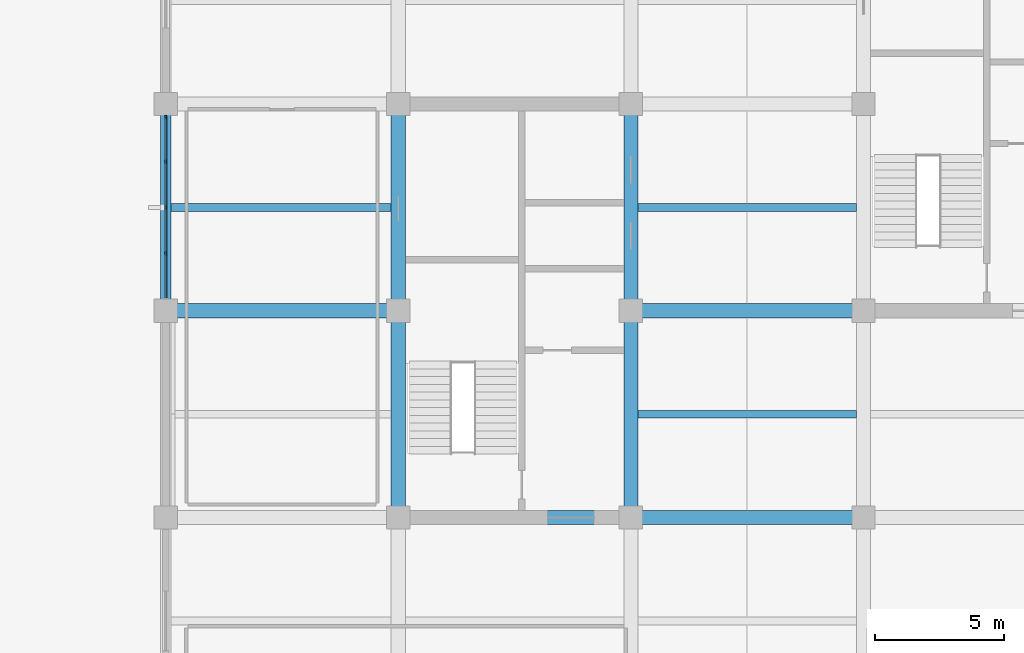
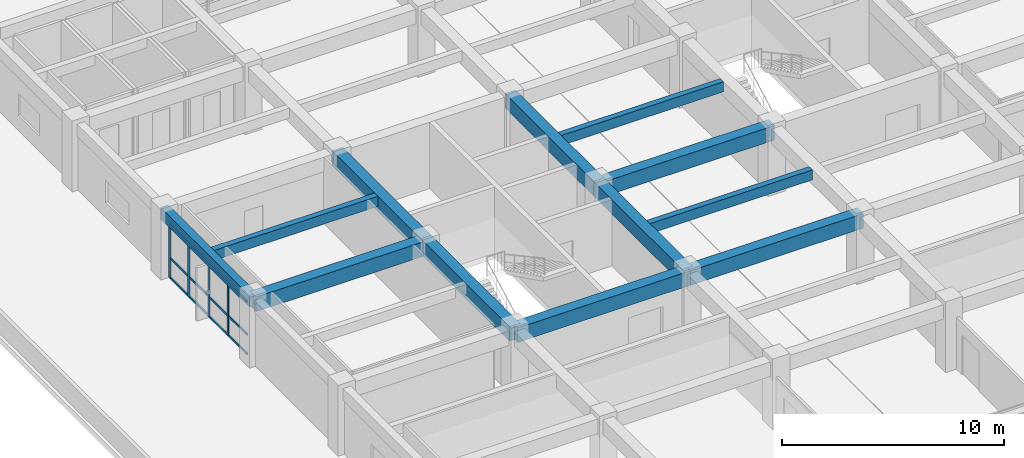
# One storey, part 6 of 34: 12 beams, 7 members, 1 element without a shape of its own.
"""IFC4 building model written with IfcOpenShell, lengths in metres."""

import ifcopenshell
import ifcopenshell.guid

model = None  # the IFC model being written
_history = None  # IfcOwnerHistory: only IFC2X3 demands one
_inside = {}  # id of a spatial element -> (the spatial element, [elements in it])
_under = {}  # id of a project, library or spatial element -> (it, [spatial elements below it])
_declared = {}  # id of a project -> (the project, [libraries it declares])
_typed = {}  # id of a type object -> (the type object, [elements of that type])
_made_of = {}  # id of a material, layer set ... -> (it, [elements and type objects made of it])


def new_model(schema):
    """Start an empty IFC model of exactly this schema.

    Asked for "IFC4X3", IfcOpenShell would pick the latest addendum, in which some entities
    have other attributes; the version numbers below select the first issue.
    IFC2X3 requires an IfcOwnerHistory on every rooted entity: one is made here for all.
    """
    global model, _history
    if schema == "IFC4X3":
        model = ifcopenshell.file(schema_version=(4, 3, 0, 0))
    else:
        model = ifcopenshell.file(schema=schema)
    _inside.clear()
    _under.clear()
    _declared.clear()
    _typed.clear()
    _made_of.clear()
    _history = None
    if model.schema == "IFC2X3":
        org = make("IfcOrganization", Name="unknown")
        user = make(
            "IfcPersonAndOrganization",
            ThePerson=make("IfcPerson", FamilyName="unknown"),
            TheOrganization=org,
        )
        app = make(
            "IfcApplication",
            ApplicationDeveloper=org,
            Version="unknown",
            ApplicationFullName="unknown",
            ApplicationIdentifier="unknown",
        )
        _history = make(
            "IfcOwnerHistory",
            OwningUser=user,
            OwningApplication=app,
            ChangeAction="ADDED",
            CreationDate=0,
        )
    return model


def make(cls, **values):
    """One entity of the class cls with the attributes given. An attribute that is None is left unset."""
    return model.create_entity(
        cls, **{name: value for name, value in values.items() if value is not None}
    )


def rooted(cls, **values):
    """An entity with a GlobalId (a new one), such as an element, a storey or a relation."""
    return make(cls, GlobalId=ifcopenshell.guid.new(), OwnerHistory=_history, **values)


def si_unit(unit_type, name, prefix=None):
    """IfcSIUnit, for example si_unit("LENGTHUNIT", "METRE", prefix="MILLI")."""
    return make("IfcSIUnit", UnitType=unit_type, Prefix=prefix, Name=name)


def assignment(units):
    """IfcUnitAssignment: the units of a project."""
    return None if units is None else make("IfcUnitAssignment", Units=units)


def point(xyz):
    """IfcCartesianPoint."""
    return None if xyz is None else make("IfcCartesianPoint", Coordinates=xyz)


def direction(xyz):
    """IfcDirection."""
    return None if xyz is None else make("IfcDirection", DirectionRatios=xyz)


def frame(location, z_axis=None, x_axis=None):
    """IfcAxis2Placement3D, a coordinate frame: its origin and axes. An axis left out is left unset."""
    return make(
        "IfcAxis2Placement3D",
        Location=point(location),
        Axis=direction(z_axis),
        RefDirection=direction(x_axis),
    )


def frame_2d(location, x_axis=None):
    """IfcAxis2Placement2D, a coordinate frame in the plane: its origin and x axis."""
    return make(
        "IfcAxis2Placement2D", Location=point(location), RefDirection=direction(x_axis)
    )


def origin():
    """The frame at (0, 0, 0) with its axes left unset."""
    return frame((0.0, 0.0, 0.0))


def origin_2d():
    """The frame at (0, 0) in the plane with its x axis left unset."""
    return frame_2d((0.0, 0.0))


def place(relative_to, where):
    """IfcLocalPlacement: puts the frame where relative to a parent placement (None: the world)."""
    return make(
        "IfcLocalPlacement", PlacementRelTo=relative_to, RelativePlacement=where
    )


def context(
    kind, dimensions, precision=None, world=None, true_north=None, identifier=None
):
    """IfcGeometricRepresentationContext, for example the 3D "Model" context."""
    return make(
        "IfcGeometricRepresentationContext",
        ContextIdentifier=identifier,
        ContextType=kind,
        CoordinateSpaceDimension=dimensions,
        Precision=precision,
        WorldCoordinateSystem=world,
        TrueNorth=true_north,
    )


def subcontext(parent, identifier, kind, view, scale=None):
    """IfcGeometricRepresentationSubContext, for example "Body" below "Model"."""
    return make(
        "IfcGeometricRepresentationSubContext",
        ContextIdentifier=identifier,
        ContextType=kind,
        ParentContext=parent,
        TargetScale=scale,
        TargetView=view,
    )


def project(units=None, contexts=None):
    """IfcProject with its units and contexts."""
    return rooted(
        "IfcProject",
        Name="project",
        RepresentationContexts=contexts,
        UnitsInContext=assignment(units),
    )


def spatial(cls, under=None, at=None, **own):
    """A site, building, storey or space (cls), placed at a placement, below another one or the project."""
    s = rooted(cls, ObjectPlacement=at, **own)
    if under is not None:
        _under.setdefault(under.id(), (under, []))[1].append(s)
    return s


def profile(cls, at=None, kind="AREA", **sizes):
    """A parametric profile (cls). Its sizes go by their IFC names, for example OverallWidth=200.0."""
    return make(cls, ProfileType=kind, Position=at, **sizes)


def rectangle(**sizes):
    """IfcRectangleProfileDef."""
    return profile("IfcRectangleProfileDef", **sizes)


def extrude(swept, where, along, depth):
    """IfcExtrudedAreaSolid: the profile swept, set in the frame where, extruded along a direction by depth."""
    return make(
        "IfcExtrudedAreaSolid",
        SweptArea=swept,
        Position=where,
        ExtrudedDirection=direction(along),
        Depth=depth,
    )


def shape(context_of_items, identifier, shape_type, items):
    """IfcShapeRepresentation: the items that make up one representation, for example the "Body"."""
    return make(
        "IfcShapeRepresentation",
        ContextOfItems=context_of_items,
        RepresentationIdentifier=identifier,
        RepresentationType=shape_type,
        Items=items,
    )


def material(Name=None, Category=None):
    """IfcMaterial."""
    return make("IfcMaterial", Name=Name, Category=Category)


def material_profile(
    of_material, cross_section, Name=None, Category=None, Priority=None
):
    """IfcMaterialProfile: a cross section and its material."""
    return make(
        "IfcMaterialProfile",
        Name=Name,
        Material=of_material,
        Profile=cross_section,
        Priority=Priority,
        Category=Category,
    )


def profile_set(profiles, Name=None, composite=None):
    """IfcMaterialProfileSet."""
    return make(
        "IfcMaterialProfileSet",
        Name=Name,
        MaterialProfiles=profiles,
        CompositeProfile=composite,
    )


def made_of(thing, what):
    """Note that an element or type object is made of a material, layer set ...; save() writes the relation."""
    if what is not None:
        _made_of.setdefault(what.id(), (what, []))[1].append(thing)
    return thing


def type_object(cls, material=None, **own):
    """A type object (cls), such as IfcWallType, which elements share."""
    return made_of(rooted(cls, **own), material)


def element(
    cls,
    number,
    at=None,
    inside=None,
    cuts=None,
    type_object=None,
    material=None,
    context=None,
    identifier="Body",
    shape_type=None,
    held_by="IfcProductDefinitionShape",
    body=None,
    shapes=None,
    **own,
):
    """One element of the class cls, such as IfcWall. Its Tag is "e" and its number.

    at: its placement. inside: the storey or other place that contains it. cuts: it is an
    opening in that element (IfcRelVoidsElement). A single representation is given by context,
    identifier, shape_type and body (its items); several are given by shapes. held_by: the class
    of the entity that holds the representations. save() writes the other relations.
    """
    e = rooted(cls, Tag="e%d" % number, ObjectPlacement=at, **own)
    if body is not None:
        shapes = [shape(context, identifier, shape_type, body)]
    if shapes is not None:
        e.Representation = make(held_by, Representations=shapes)
    if inside is not None:
        _inside.setdefault(inside.id(), (inside, []))[1].append(e)
    if cuts is not None:
        rooted(
            "IfcRelVoidsElement", RelatingBuildingElement=cuts, RelatedOpeningElement=e
        )
    if type_object is not None:
        _typed.setdefault(type_object.id(), (type_object, []))[1].append(e)
    return made_of(e, material)


def aggregate(whole, parts):
    """IfcRelAggregates: a whole, such as a stair, and the parts it consists of."""
    return rooted("IfcRelAggregates", RelatingObject=whole, RelatedObjects=parts)


def save(model, path):
    """Write the relations noted so far, then the file.

    IfcRelAggregates (storeys below a building ...), IfcRelContainedInSpatialStructure (elements
    in a storey), IfcRelDefinesByType, IfcRelAssociatesMaterial and IfcRelDeclares: one each for
    every whole, place, type object, material and project.
    """
    for whole, parts in _under.values():
        aggregate(whole, parts)
    for where, things in _inside.values():
        rooted(
            "IfcRelContainedInSpatialStructure",
            RelatedElements=things,
            RelatingStructure=where,
        )
    for kind, things in _typed.values():
        rooted("IfcRelDefinesByType", RelatedObjects=things, RelatingType=kind)
    for what, things in _made_of.values():
        rooted("IfcRelAssociatesMaterial", RelatedObjects=things, RelatingMaterial=what)
    for by, libraries in _declared.values():
        rooted("IfcRelDeclares", RelatingContext=by, RelatedDefinitions=libraries)
    model.write(path)


model = new_model("IFC4")

# Units and contexts
model_context = context("Model", 3, precision=1e-05, world=origin(), true_north=direction((0.0, 1.0)))
body_context = subcontext(model_context, "Body", "Model", "MODEL_VIEW")
ifc_project = project(units=[si_unit("LENGTHUNIT", "METRE"), si_unit("AREAUNIT", "SQUARE_METRE"), si_unit("VOLUMEUNIT", "CUBIC_METRE"), si_unit("PLANEANGLEUNIT", "RADIAN"), si_unit("MASSUNIT", "GRAM", prefix="KILO")], contexts=[model_context])

# Site, building, storey
site_placement = place(None, origin())
site = spatial("IfcSite", under=ifc_project, at=site_placement, CompositionType="ELEMENT")
building_placement = place(site_placement, origin())
building = spatial("IfcBuilding", under=site, at=building_placement, Name="Zaverband Oceanarium and Marine Research Institute", CompositionType="ELEMENT")
storey_placement = place(building_placement, frame((0.0, 0.0, 18.0)))
storey = spatial("IfcBuildingStorey", under=building, at=storey_placement, Name="L04", CompositionType="ELEMENT", Elevation=18.0)

# Beams
ifc_material_1 = material(Name="Concrete C40/50", Category="concrete")
ifc_material_profile_1 = material_profile(ifc_material_1, rectangle(XDim=0.550048828125, YDim=0.800048828125, at=origin_2d()), Name="RC550x800")
ifc_profile_set_1 = profile_set([ifc_material_profile_1], Name="Concrete C40/50")
beam_type_1 = type_object("IfcBeamType", Name="BM-550x800", PredefinedType="BEAM", material=ifc_profile_set_1)
for number, where, z_axis, x_axis, name in (
    (1, (18.0, 80.0, 3.25), (1.0, 0.0, 0.0), (0.0, 1.0, 0.0), "Primary floor girder BM-550x800"),
    (2, (27.0, 80.0, 3.25), (1.0, 0.0, 0.0), (0.0, 1.0, 0.0), "Primary floor girder BM-550x800"),
    (3, (9.0, 88.0, 3.25), (1.0, 0.0, 0.0), (0.0, 1.0, 0.0), "Primary floor girder BM-550x800"),
    (4, (27.0, 88.0, 3.25), (1.0, 0.0, 0.0), (0.0, 1.0, 0.0), "Primary floor girder BM-550x800"),
):
    element("IfcBeam", number, at=place(storey_placement, frame(where, z_axis=z_axis, x_axis=x_axis)), inside=storey, type_object=beam_type_1, Name=name, PredefinedType="BEAM", context=body_context, shape_type="SweptSolid", body=[
        extrude(rectangle(XDim=0.550048828125, YDim=0.800048828125, at=origin_2d()), origin(), (0.0, 0.0, 1.0), 9.0),
    ])
for number, where, z_axis, x_axis, name in (
    (5, (18.0, 80.0, 3.25), (0.0, 1.0, 0.0), (-1.0, 0.0, 0.0), "Primary floor girder BM-550x800"),
    (6, (18.0, 88.0, 3.25), (0.0, 1.0, 0.0), (-1.0, 0.0, 0.0), "Primary floor girder BM-550x800"),
    (7, (27.0, 80.0, 3.25), (0.0, 1.0, 0.0), (-1.0, 0.0, 0.0), "Primary floor girder BM-550x800"),
    (8, (27.0, 88.0, 3.25), (0.0, 1.0, 0.0), (-1.0, 0.0, 0.0), "Primary floor girder BM-550x800"),
):
    element("IfcBeam", number, at=place(storey_placement, frame(where, z_axis=z_axis, x_axis=x_axis)), inside=storey, type_object=beam_type_1, Name=name, PredefinedType="BEAM", context=body_context, shape_type="SweptSolid", body=[
        extrude(rectangle(XDim=0.550048828125, YDim=0.800048828125, at=origin_2d()), origin(), (0.0, 0.0, 1.0), 8.0),
    ])
ifc_material_profile_2 = material_profile(ifc_material_1, rectangle(XDim=0.300048828125, YDim=0.550048828125, at=origin_2d()), Name="RC300x550")
ifc_profile_set_2 = profile_set([ifc_material_profile_2], Name="Concrete C40/50")
beam_type_2 = type_object("IfcBeamType", Name="JST-300x550", PredefinedType="JOIST", material=ifc_profile_set_2)
beam_1_placement = place(storey_placement, frame((9.199951171875, 92.0, 3.375), z_axis=(1.0, 0.0, 0.0), x_axis=(0.0, 1.0, 0.0)))
element("IfcBeam", 9, at=beam_1_placement, inside=storey, type_object=beam_type_2, Name="Secondary floor joist JST-300x550", PredefinedType="JOIST", context=body_context, shape_type="SweptSolid", body=[
    extrude(rectangle(XDim=0.300048828125, YDim=0.550048828125, at=origin_2d()), origin(), (0.0, 0.0, 1.0), 8.525146484375),
])
for number, where, z_axis, x_axis, name in (
    (10, (27.27490234375, 84.0, 3.375), (1.0, 0.0, 0.0), (0.0, 1.0, 0.0), "Secondary floor joist JST-300x550"),
    (11, (27.27490234375, 92.0, 3.375), (1.0, 0.0, 0.0), (0.0, 1.0, 0.0), "Secondary floor joist JST-300x550"),
):
    element("IfcBeam", number, at=place(storey_placement, frame(where, z_axis=z_axis, x_axis=x_axis)), inside=storey, type_object=beam_type_2, Name=name, PredefinedType="JOIST", context=body_context, shape_type="SweptSolid", body=[
        extrude(rectangle(XDim=0.300048828125, YDim=0.550048828125, at=origin_2d()), origin(), (0.0, 0.0, 1.0), 8.4501953125),
    ])

# Curtain wall, members
ifc_material_2 = material(Name="Thermally broken anodized aluminium and solar-control glass", Category="aluminium")
curtain_wall_type = type_object("IfcCurtainWallType", Name="CW-UNIT-1800", PredefinedType="NOTDEFINED", material=ifc_material_2)
curtain_wall_placement = place(storey_placement, origin())
curtain_wall = element("IfcCurtainWall", 12, at=curtain_wall_placement, inside=storey, type_object=curtain_wall_type, Name="Unitised glazed curtain wall CW-065", PredefinedType="NOTDEFINED")
ifc_material_3 = material(Name="Thermally broken anodized aluminium", Category="aluminium")
ifc_material_profile_3 = material_profile(ifc_material_3, rectangle(XDim=0.070068359375, YDim=0.14990234375, at=origin_2d()), Name="AL-MUL-70x150")
ifc_profile_set_3 = profile_set([ifc_material_profile_3], Name="Thermally broken anodized aluminium")
member_type_1 = type_object("IfcMemberType", Name="MUL-70x150", PredefinedType="MULLION", material=ifc_profile_set_3)
member_1_placement = place(storey_placement, frame((9.0, 90.2275390625, 0.0), z_axis=(0.0, 0.0, 1.0), x_axis=(1.0, 0.0, 0.0)))
member_1 = element("IfcMember", 13, at=member_1_placement, type_object=member_type_1, Name="Curtain wall vertical mullion MUL-70x150", PredefinedType="MULLION", context=body_context, shape_type="SweptSolid", body=[
    extrude(rectangle(XDim=0.070068359375, YDim=0.14990234375, at=origin_2d()), origin(), (0.0, 0.0, 1.0), 2.97998046875),
])
member_2_placement = place(storey_placement, frame((9.0, 92.0, 0.0), z_axis=(0.0, 0.0, 1.0), x_axis=(1.0, 0.0, 0.0)))
member_2 = element("IfcMember", 14, at=member_2_placement, type_object=member_type_1, Name="Curtain wall vertical mullion MUL-70x150", PredefinedType="MULLION", context=body_context, shape_type="SweptSolid", body=[
    extrude(rectangle(XDim=0.070068359375, YDim=0.14990234375, at=origin_2d()), origin(), (0.0, 0.0, 1.0), 2.97998046875),
])
member_3_placement = place(storey_placement, frame((9.0, 93.7724609375, 0.0), z_axis=(0.0, 0.0, 1.0), x_axis=(1.0, 0.0, 0.0)))
member_3 = element("IfcMember", 15, at=member_3_placement, type_object=member_type_1, Name="Curtain wall vertical mullion MUL-70x150", PredefinedType="MULLION", context=body_context, shape_type="SweptSolid", body=[
    extrude(rectangle(XDim=0.070068359375, YDim=0.14990234375, at=origin_2d()), origin(), (0.0, 0.0, 1.0), 2.97998046875),
])
member_4_placement = place(storey_placement, frame((9.0, 95.485107421875, 0.0), z_axis=(0.0, 0.0, 1.0), x_axis=(1.0, 0.0, 0.0)))
member_4 = element("IfcMember", 16, at=member_4_placement, type_object=member_type_1, Name="Curtain wall vertical mullion MUL-70x150", PredefinedType="MULLION", context=body_context, shape_type="SweptSolid", body=[
    extrude(rectangle(XDim=0.070068359375, YDim=0.14990234375, at=origin_2d()), origin(), (0.0, 0.0, 1.0), 2.97998046875),
])

# Beam
ifc_material_profile_4 = material_profile(ifc_material_1, rectangle(XDim=0.39990234375, YDim=0.64990234375, at=origin_2d()), Name="RC400x650")
ifc_profile_set_4 = profile_set([ifc_material_profile_4], Name="Concrete C40/50")
beam_type_3 = type_object("IfcBeamType", Name="SPN-400x650", PredefinedType="SPANDREL", material=ifc_profile_set_4)
beam_2_placement = place(storey_placement, frame((9.0, 88.0, 3.324951171875), z_axis=(0.0, 1.0, 0.0), x_axis=(-1.0, 0.0, 0.0)))
element("IfcBeam", 17, at=beam_2_placement, inside=storey, type_object=beam_type_3, Name="Perimeter spandrel beam SPN-400x650", PredefinedType="SPANDREL", context=body_context, shape_type="SweptSolid", body=[
    extrude(rectangle(XDim=0.39990234375, YDim=0.64990234375, at=origin_2d()), origin(), (0.0, 0.0, 1.0), 8.0),
])

# Member
ifc_material_profile_5 = material_profile(ifc_material_3, rectangle(XDim=0.070068359375, YDim=0.114990234375, at=origin_2d()), Name="AL-TRN-70x115")
ifc_profile_set_5 = profile_set([ifc_material_profile_5], Name="Thermally broken anodized aluminium")
member_type_2 = type_object("IfcMemberType", Name="TRN-70x115", PredefinedType="USERDEFINED", material=ifc_profile_set_5)
member_5_placement = place(storey_placement, frame((9.0, 88.514892578125, 0.050048828125), z_axis=(0.0, 1.0, 0.0), x_axis=(-1.0, 0.0, 0.0)))
member_5 = element("IfcMember", 18, at=member_5_placement, type_object=member_type_2, Name="Curtain wall horizontal transom TRN-70x115", ObjectType="TRANSOM", PredefinedType="USERDEFINED", context=body_context, shape_type="SweptSolid", body=[
    extrude(rectangle(XDim=0.070068359375, YDim=0.114990234375, at=origin_2d()), origin(), (0.0, 0.0, 1.0), 6.97021484375),
])

member_6_placement = place(storey_placement, frame((9.0, 88.514892578125, 1.123046875), z_axis=(0.0, 1.0, 0.0), x_axis=(-1.0, 0.0, 0.0)))
member_6 = element("IfcMember", 19, at=member_6_placement, type_object=member_type_2, Name="Curtain wall horizontal transom TRN-70x115", ObjectType="TRANSOM", PredefinedType="USERDEFINED", context=body_context, shape_type="SweptSolid", body=[
    extrude(rectangle(XDim=0.070068359375, YDim=0.114990234375, at=origin_2d()), origin(), (0.0, 0.0, 1.0), 6.97021484375),
])

member_7_placement = place(storey_placement, frame((9.0, 88.514892578125, 2.929931640625), z_axis=(0.0, 1.0, 0.0), x_axis=(-1.0, 0.0, 0.0)))
member_7 = element("IfcMember", 20, at=member_7_placement, type_object=member_type_2, Name="Curtain wall horizontal transom TRN-70x115", ObjectType="TRANSOM", PredefinedType="USERDEFINED", context=body_context, shape_type="SweptSolid", body=[
    extrude(rectangle(XDim=0.070068359375, YDim=0.114990234375, at=origin_2d()), origin(), (0.0, 0.0, 1.0), 6.97021484375),
])

aggregate(curtain_wall, [member_1, member_2, member_3, member_4, member_5, member_6, member_7])

save(model, "model.ifc")
